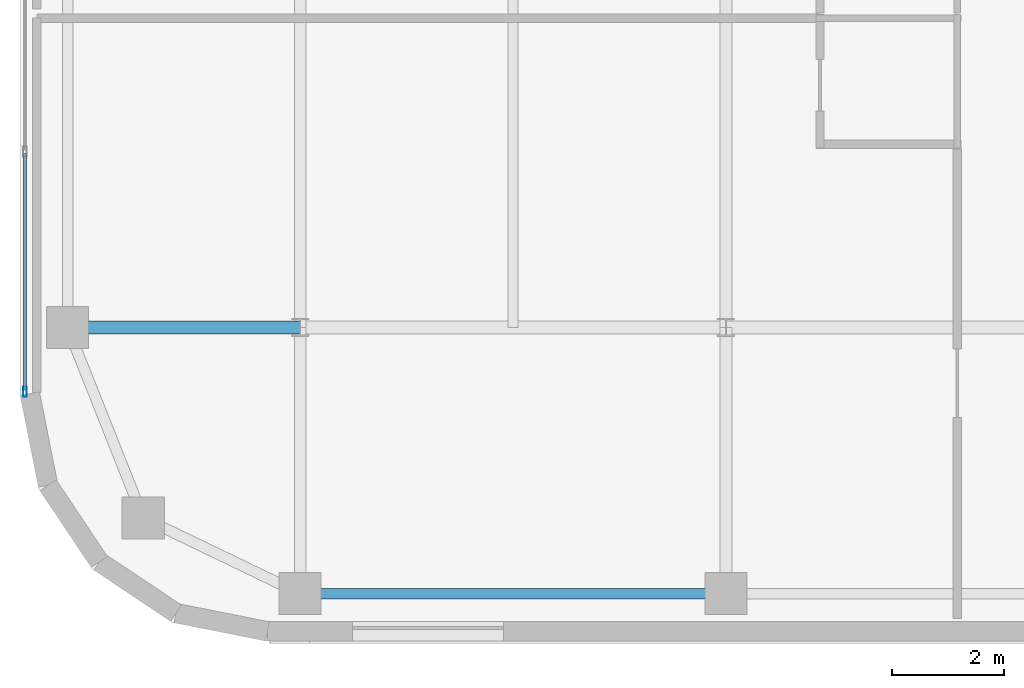
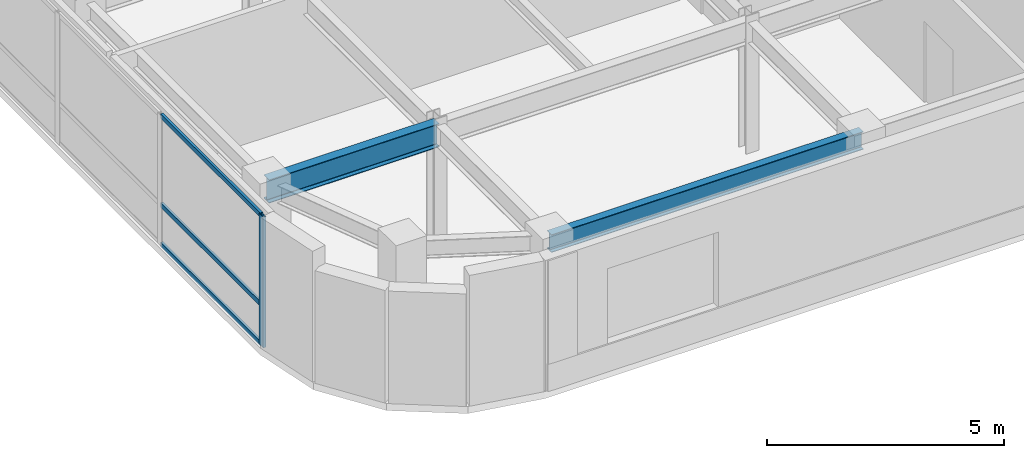
# One storey, part 3 of 21: 4 members, 2 beams, 1 element without a shape of its own.
"""IFC4 building model written with IfcOpenShell, lengths in metres."""

from ifc_helpers import new_model, si_unit, direction, frame, origin, origin_2d, place, context, subcontext, project, spatial, hollow_rectangle, i_section, extrude, source, transform, mapped, material, layer, layer_set, material_profile, profile_set, type_object, type_shapes, element, aggregate, save


model = new_model("IFC4")

# Units and contexts
model_context = context("Model", 3, precision=1e-05, world=origin(), true_north=direction((0.0, 1.0)))
body_context = subcontext(model_context, "Body", "Model", "MODEL_VIEW")
ifc_project = project(units=[si_unit("LENGTHUNIT", "METRE"), si_unit("AREAUNIT", "SQUARE_METRE"), si_unit("VOLUMEUNIT", "CUBIC_METRE"), si_unit("PLANEANGLEUNIT", "RADIAN"), si_unit("MASSUNIT", "GRAM", prefix="KILO")], contexts=[model_context])

# Site, building, storey
site_placement = place(None, origin())
site = spatial("IfcSite", under=ifc_project, at=site_placement, CompositionType="ELEMENT")
building_placement = place(site_placement, origin())
building = spatial("IfcBuilding", under=site, at=building_placement, Name="Tolvann Quenvar Hotel", CompositionType="ELEMENT")
storey_placement = place(building_placement, frame((0.0, 0.0, 227.449951171875)))
storey = spatial("IfcBuildingStorey", under=building, at=storey_placement, Name="L60", CompositionType="ELEMENT", Elevation=227.449951171875)

# Beams
ifc_material_1 = material(Name="Steel Grade 350", Category="steel")
ifc_material_profile_1 = material_profile(ifc_material_1, i_section(OverallWidth=0.22802734375, OverallDepth=0.60205078125, WebThickness=0.010498046875, FlangeThickness=0.014892578125, FilletRadius=0.013916015625, at=origin_2d()), Name="610UB101")
ifc_profile_set_1 = profile_set([ifc_material_profile_1], Name="Steel Grade 350")
beam_type_1 = type_object("IfcBeamType", Name="BM_GIRD_610UB101", PredefinedType="BEAM", material=ifc_profile_set_1)
shared_shape_1 = source(origin(), body_context, "Body", "SweptSolid", [
    extrude(i_section(OverallWidth=0.22802734375, OverallDepth=0.60205078125, WebThickness=0.010498046875, FlangeThickness=0.014892578125, FilletRadius=0.013916015625, at=origin_2d()), origin(), (0.0, 0.0, 1.0), 4.150146484375),
])
type_shapes(beam_type_1, [shared_shape_1])
beam_1_placement = place(storey_placement, frame((3.449951171875, 8.199951171875, 3.069091796875), z_axis=(1.0, 0.0, 0.0), x_axis=(0.0, 1.0, 0.0)))
element("IfcBeam", 1, at=beam_1_placement, inside=storey, type_object=beam_type_1, Name="BM-L60-EW-3-B3-C3", PredefinedType="BEAM", context=body_context, shape_type="MappedRepresentation", body=[
    mapped(shared_shape_1, transform((0.0, 0.0, 0.0), x_axis=(1.0, 0.0, 0.0), y_axis=(0.0, 1.0, 0.0), z_axis=(0.0, 0.0, 1.0), scale=1.0)),
])
ifc_material_profile_2 = material_profile(ifc_material_1, i_section(OverallWidth=0.19091796875, OverallDepth=0.4599609375, WebThickness=0.010009765625, FlangeThickness=0.01611328125, FilletRadius=0.011474609375, at=origin_2d()), Name="460UB82")
ifc_profile_set_2 = profile_set([ifc_material_profile_2], Name="Steel Grade 350")
beam_type_2 = type_object("IfcBeamType", Name="BM_SPAND_460UB82", PredefinedType="SPANDREL", material=ifc_profile_set_2)
shared_shape_2 = source(origin(), body_context, "Body", "SweptSolid", [
    extrude(i_section(OverallWidth=0.19091796875, OverallDepth=0.4599609375, WebThickness=0.010009765625, FlangeThickness=0.01611328125, FilletRadius=0.011474609375, at=origin_2d()), origin(), (0.0, 0.0, 1.0), 7.599853515625),
])
type_shapes(beam_type_2, [shared_shape_2])
beam_2_placement = place(storey_placement, frame((7.60009765625, 3.449951171875, 3.14013671875), z_axis=(1.0, 0.0, 0.0), x_axis=(0.0, 1.0, 0.0)))
element("IfcBeam", 2, at=beam_2_placement, inside=storey, type_object=beam_type_2, Name="BM-L60-EW-2-C2-D2", PredefinedType="SPANDREL", context=body_context, shape_type="MappedRepresentation", body=[
    mapped(shared_shape_2, transform((0.0, 0.0, 0.0), x_axis=(1.0, 0.0, 0.0), y_axis=(0.0, 1.0, 0.0), z_axis=(0.0, 0.0, 1.0), scale=1.0)),
])

# Curtain wall, members
ifc_material_2 = material(Name="Thermally broken anodised architectural aluminium 6063-T6 and laminated low-E glass", Category="aluminium")
ifc_layer = layer(ifc_material_2, 0.179931640625)
ifc_layer_set = layer_set([ifc_layer], Name="Thermally broken anodised architectural aluminium 6063-T6 and laminated low-E glass")
curtain_wall_type = type_object("IfcCurtainWallType", Name="CW_SYS_BAND_04", PredefinedType="USERDEFINED", material=ifc_layer_set)
curtain_wall_placement = place(storey_placement, origin())
curtain_wall = element("IfcCurtainWall", 3, at=curtain_wall_placement, inside=storey, type_object=curtain_wall_type, Name="Curtain Wall CW-BAND-04 (CWR-L60-E19)", ObjectType="UNITISED CURTAIN WALL", PredefinedType="USERDEFINED")
ifc_material_3 = material(Name="Anodised architectural aluminium 6063-T6 framing", Category="aluminium")
ifc_material_profile_3 = material_profile(ifc_material_3, hollow_rectangle(XDim=0.070068359375, YDim=0.179931640625, WallThickness=0.00390625, at=origin_2d()), Name="180x70x4RHS")
ifc_profile_set_3 = profile_set([ifc_material_profile_3], Name="Anodised architectural aluminium 6063-T6 framing")
member_type_1 = type_object("IfcMemberType", Name="CW_MULL_180x70", PredefinedType="MULLION", material=ifc_profile_set_3)
shared_shape_3 = source(origin(), body_context, "Body", "SweptSolid", [
    extrude(hollow_rectangle(XDim=0.070068359375, YDim=0.179931640625, WallThickness=0.00390625, at=origin_2d()), origin(), (0.0, 0.0, 1.0), 3.3701171875),
])
type_shapes(member_type_1, [shared_shape_3])
member_1_placement = place(storey_placement, frame((2.68994140625, 7.05224609375, 0.0), z_axis=(0.0, 0.0, 1.0), x_axis=(1.0, 0.0, 0.0)))
member_1 = element("IfcMember", 4, at=member_1_placement, type_object=member_type_1, Name="CW-BAND-04 mullion 9", PredefinedType="MULLION", context=body_context, shape_type="MappedRepresentation", body=[
    mapped(shared_shape_3, transform((0.0, 0.0, 0.0), x_axis=(1.0, 0.0, 0.0), y_axis=(0.0, 1.0, 0.0), z_axis=(0.0, 0.0, 1.0), scale=1.0)),
])
ifc_material_profile_4 = material_profile(ifc_material_3, hollow_rectangle(XDim=0.06005859375, YDim=0.1201171875, WallThickness=0.00341796875, at=origin_2d()), Name="120x60x3.5RHS")
ifc_profile_set_4 = profile_set([ifc_material_profile_4], Name="Anodised architectural aluminium 6063-T6 framing")
member_type_2 = type_object("IfcMemberType", Name="CW_TRAN_120x60", PredefinedType="USERDEFINED", material=ifc_profile_set_4)
shared_shape_4 = source(origin(), body_context, "Body", "SweptSolid", [
    extrude(hollow_rectangle(XDim=0.06005859375, YDim=0.1201171875, WallThickness=0.00341796875, at=origin_2d()), origin(), (0.0, 0.0, 1.0), 4.2158203125),
])
type_shapes(member_type_2, [shared_shape_4])
member_2_placement = place(storey_placement, frame((2.68994140625, 11.302978515625, 0.030029296875), z_axis=(0.0, -1.0, 0.0), x_axis=(1.0, 0.0, 0.0)))
member_2 = element("IfcMember", 5, at=member_2_placement, type_object=member_type_2, Name="CW-BAND-04 transom 8.1", ObjectType="TRANSOM", PredefinedType="USERDEFINED", context=body_context, shape_type="MappedRepresentation", body=[
    mapped(shared_shape_4, transform((0.0, 0.0, 0.0), x_axis=(1.0, 0.0, 0.0), y_axis=(0.0, 1.0, 0.0), z_axis=(0.0, 0.0, 1.0), scale=1.0)),
])
member_3_placement = place(storey_placement, frame((2.68994140625, 11.302978515625, 1.050048828125), z_axis=(0.0, -1.0, 0.0), x_axis=(1.0, 0.0, 0.0)))
member_3 = element("IfcMember", 6, at=member_3_placement, type_object=member_type_2, Name="CW-BAND-04 transom 8.2", ObjectType="TRANSOM", PredefinedType="USERDEFINED", context=body_context, shape_type="MappedRepresentation", body=[
    mapped(shared_shape_4, transform((0.0, 0.0, 0.0), x_axis=(1.0, 0.0, 0.0), y_axis=(0.0, 1.0, 0.0), z_axis=(0.0, 0.0, 1.0), scale=1.0)),
])
member_4_placement = place(storey_placement, frame((2.68994140625, 11.302978515625, 3.340087890625), z_axis=(0.0, -1.0, 0.0), x_axis=(1.0, 0.0, 0.0)))
member_4 = element("IfcMember", 7, at=member_4_placement, type_object=member_type_2, Name="CW-BAND-04 transom 8.3", ObjectType="TRANSOM", PredefinedType="USERDEFINED", context=body_context, shape_type="MappedRepresentation", body=[
    mapped(shared_shape_4, transform((0.0, 0.0, 0.0), x_axis=(1.0, 0.0, 0.0), y_axis=(0.0, 1.0, 0.0), z_axis=(0.0, 0.0, 1.0), scale=1.0)),
])
aggregate(curtain_wall, [member_1, member_2, member_3, member_4])

save(model, "model.ifc")
